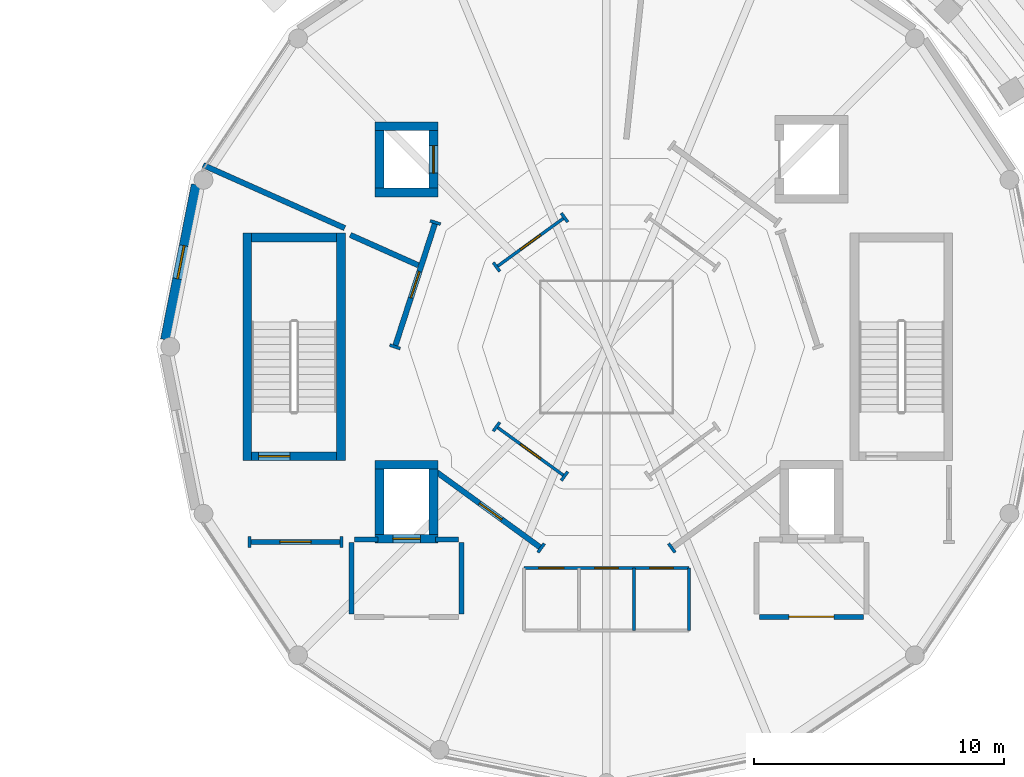
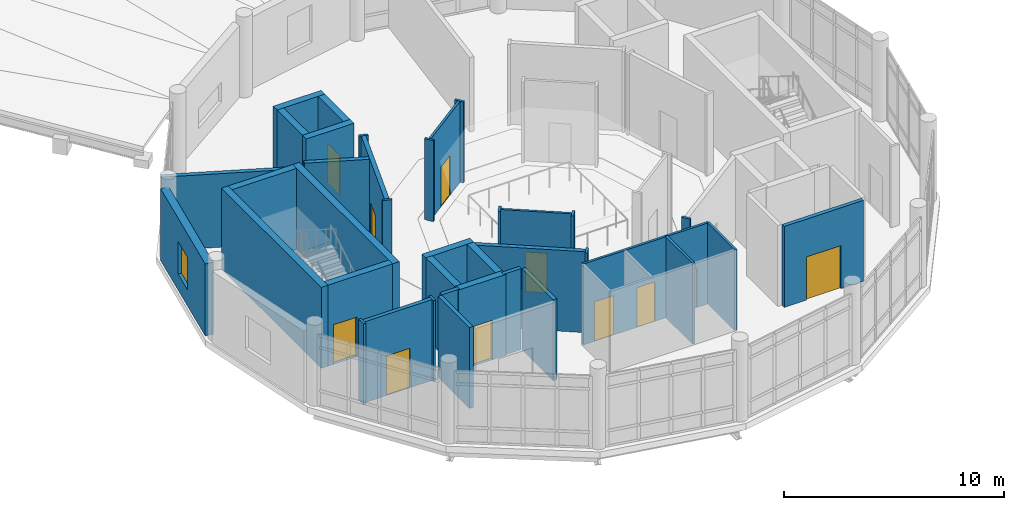
# One storey, part 21 of 27: 38 walls, 12 doors, 1 window, 13 openings.
"""IFC4 building model written with IfcOpenShell, lengths in metres."""

from ifc_helpers import new_model, si_unit, direction, frame, frame_2d, origin, place, context, subcontext, project, spatial, rectangle, extrude, material, layer, layer_set, type_object, element, fill, save


model = new_model("IFC4")

# Units and contexts
model_context = context("Model", 3, precision=1e-05, world=origin(), true_north=direction((0.0, 1.0)))
body_context = subcontext(model_context, "Body", "Model", "MODEL_VIEW")
ifc_project = project(units=[si_unit("LENGTHUNIT", "METRE"), si_unit("AREAUNIT", "SQUARE_METRE"), si_unit("VOLUMEUNIT", "CUBIC_METRE"), si_unit("PLANEANGLEUNIT", "RADIAN"), si_unit("MASSUNIT", "GRAM", prefix="KILO")], contexts=[model_context])

# Site, building, storey
site_placement = place(None, origin())
site = spatial("IfcSite", under=ifc_project, at=site_placement, CompositionType="ELEMENT")
building_placement = place(site_placement, origin())
building = spatial("IfcBuilding", under=site, at=building_placement, Name="Soyqirgoq Riverine Aquarium", CompositionType="ELEMENT")
storey_placement = place(building_placement, frame((0.0, 0.0, 19.800048828125)))
storey = spatial("IfcBuildingStorey", under=building, at=storey_placement, Name="L05", CompositionType="ELEMENT", Elevation=19.800048828125)

# Walls
ifc_material_1 = material(Name="Concrete C40/50", Category="concrete")
ifc_layer_1 = layer(ifc_material_1, 0.35009765625)
ifc_layer_set_1 = layer_set([ifc_layer_1], Name="Concrete C40/50")
wall_type_1 = type_object("IfcWallType", Name="CoreShearWall_350_C40", PredefinedType="SHEAR", material=ifc_layer_set_1)
wall_1_placement = place(storey_placement, frame((45.375, 52.449951171875, 0.0), z_axis=(0.0, 0.0, 1.0), x_axis=(0.0, 1.0, 0.0)))
element("IfcWall", 1, at=wall_1_placement, inside=storey, type_object=wall_type_1, Name="CORE-1B L05 Stair Core Shear Wall SIDE1", PredefinedType="SHEAR", context=body_context, shape_type="SweptSolid", body=[
    extrude(rectangle(XDim=9.10009765625, YDim=0.35009765625, at=frame_2d((4.550048828125, 0.0))), origin(), (0.0, 0.0, 1.0), 4.5),
])
wall_2_placement = place(storey_placement, frame((45.199951171875, 61.375, 0.0), z_axis=(0.0, 0.0, 1.0), x_axis=(-1.0, 0.0, 0.0)))
element("IfcWall", 2, at=wall_2_placement, inside=storey, type_object=wall_type_1, Name="CORE-1B L05 Stair Core Shear Wall BACK", PredefinedType="SHEAR", context=body_context, shape_type="SweptSolid", body=[
    extrude(rectangle(XDim=3.39990234375, YDim=0.35009765625, at=frame_2d((1.699951171875, 0.0))), origin(), (0.0, 0.0, 1.0), 4.5),
])
wall_3_placement = place(storey_placement, frame((41.625, 61.550048828125, 0.0), z_axis=(0.0, 0.0, 1.0), x_axis=(0.0, -1.0, 0.0)))
element("IfcWall", 3, at=wall_3_placement, inside=storey, type_object=wall_type_1, Name="CORE-1B L05 Stair Core Shear Wall SIDE2", PredefinedType="SHEAR", context=body_context, shape_type="SweptSolid", body=[
    extrude(rectangle(XDim=9.10009765625, YDim=0.35009765625, at=frame_2d((4.550048828125, 0.0))), origin(), (0.0, 0.0, 1.0), 4.5),
])

# Wall, opening, door
wall_4_placement = place(storey_placement, frame((41.800048828125, 52.625, 0.0), z_axis=(0.0, 0.0, 1.0), x_axis=(1.0, 0.0, 0.0)))
wall_4 = element("IfcWall", 4, at=wall_4_placement, inside=storey, type_object=wall_type_1, Name="CORE-1B L05 Stair Core Shear Wall FRONT", PredefinedType="SHEAR", context=body_context, shape_type="SweptSolid", body=[
    extrude(rectangle(XDim=3.39990234375, YDim=0.35009765625, at=frame_2d((1.699951171875, 0.0))), origin(), (0.0, 0.0, 1.0), 4.5),
])
opening_1_placement = place(wall_4_placement, frame((0.280029296875, 0.0, 0.0)))
opening_1 = element("IfcOpeningElement", 5, at=opening_1_placement, cuts=wall_4, Name="Opening FD-01", PredefinedType="OPENING", context=body_context, shape_type="SweptSolid", body=[
    extrude(rectangle(XDim=1.25, YDim=2.199951171875, at=frame_2d((0.625, 1.10009765625))), frame((0.0, 0.18505859375, 0.0), z_axis=(0.0, -1.0, 0.0), x_axis=(1.0, 0.0, 0.0)), (0.0, 0.0, 1.0), 0.3701171875),
])
ifc_material_2 = material(Name="Galvanised steel fire-resisting stair door", Category="steel")
door_type_1 = type_object("IfcDoorType", Name="StairFireDoor_1250x2200_EI90", OperationType="NOTDEFINED", PredefinedType="DOOR", material=ifc_material_2)
door_1_placement = place(opening_1_placement, origin())
door_1 = element("IfcDoor", 6, at=door_1_placement, inside=storey, type_object=door_type_1, Name="DR-ST-9-L05 ST-9 L05 Fire-Rated Stairwell Door", OperationType="SINGLE_SWING_RIGHT", OverallHeight=2.199951171875, OverallWidth=1.25, PredefinedType="DOOR", context=body_context, shape_type="SweptSolid", body=[
    extrude(rectangle(XDim=1.25, YDim=2.199951171875, at=frame_2d((0.625, 1.10009765625))), frame((0.0, 0.02490234375, 0.0), z_axis=(0.0, -1.0, 0.0), x_axis=(1.0, 0.0, 0.0)), (0.0, 0.0, 1.0), 0.050048828125),
])
fill(opening_1, door_1)

wall_5_placement = place(storey_placement, frame((46.7451171875, 49.320068359375, 0.0), z_axis=(0.0, 0.0, 1.0), x_axis=(1.0, 0.0, 0.0)))
wall_5 = element("IfcWall", 7, at=wall_5_placement, inside=storey, type_object=wall_type_1, Name="Lift FFL-2 Shaft Wall L05 1", PredefinedType="SHEAR", context=body_context, shape_type="SweptSolid", body=[
    extrude(rectangle(XDim=2.509765625, YDim=0.35009765625, at=frame_2d((1.2548828125, 0.0))), origin(), (0.0, 0.0, 1.0), 4.5),
])
opening_2_placement = place(wall_5_placement, frame((0.705078125, 0.0, 0.0)))
opening_2 = element("IfcOpeningElement", 8, at=opening_2_placement, cuts=wall_5, Name="Opening LD-01", PredefinedType="OPENING", context=body_context, shape_type="SweptSolid", body=[
    extrude(rectangle(XDim=1.10009765625, YDim=2.199951171875, at=frame_2d((0.550048828125, 1.10009765625))), frame((0.0, 0.18505859375, 0.0), z_axis=(0.0, -1.0, 0.0), x_axis=(1.0, 0.0, 0.0)), (0.0, 0.0, 1.0), 0.3701171875),
])
ifc_material_3 = material(Name="Brushed stainless steel telescopic lift landing door", Category="steel")
door_type_2 = type_object("IfcDoorType", Name="LiftLandingDoor_1100x2200", OperationType="SLIDING_TO_LEFT", PredefinedType="DOOR", material=ifc_material_3)
door_2_placement = place(opening_2_placement, origin())
door_2 = element("IfcDoor", 9, at=door_2_placement, inside=storey, type_object=door_type_2, Name="LD-FFL-2-L05 Lift FFL-2 L05 Sliding Landing Door", OperationType="SLIDING_TO_LEFT", OverallHeight=2.199951171875, OverallWidth=1.10009765625, PredefinedType="DOOR", context=body_context, shape_type="SweptSolid", body=[
    extrude(rectangle(XDim=1.10009765625, YDim=2.199951171875, at=frame_2d((0.550048828125, 1.10009765625))), frame((0.0, 0.02490234375, 0.0), z_axis=(0.0, -1.0, 0.0), x_axis=(1.0, 0.0, 0.0)), (0.0, 0.0, 1.0), 0.050048828125),
])
fill(opening_2, door_2)

# Walls
wall_6_placement = place(storey_placement, frame((49.080078125, 49.4951171875, 0.0), z_axis=(0.0, 0.0, 1.0), x_axis=(0.0, 1.0, 0.0)))
element("IfcWall", 10, at=wall_6_placement, inside=storey, type_object=wall_type_1, Name="Lift FFL-2 Shaft Wall L05 2", PredefinedType="SHEAR", context=body_context, shape_type="SweptSolid", body=[
    extrude(rectangle(XDim=2.60986328125, YDim=0.35009765625, at=frame_2d((1.304931640625, 0.0))), origin(), (0.0, 0.0, 1.0), 4.5),
])
wall_7_placement = place(storey_placement, frame((49.2548828125, 52.280029296875, 0.0), z_axis=(0.0, 0.0, 1.0), x_axis=(-1.0, 0.0, 0.0)))
element("IfcWall", 11, at=wall_7_placement, inside=storey, type_object=wall_type_1, Name="Lift FFL-2 Shaft Wall L05 3", PredefinedType="SHEAR", context=body_context, shape_type="SweptSolid", body=[
    extrude(rectangle(XDim=2.509765625, YDim=0.35009765625, at=frame_2d((1.2548828125, 0.0))), origin(), (0.0, 0.0, 1.0), 4.5),
])
wall_8_placement = place(storey_placement, frame((46.919921875, 52.10498046875, 0.0), z_axis=(0.0, 0.0, 1.0), x_axis=(0.0, -1.0, 0.0)))
element("IfcWall", 12, at=wall_8_placement, inside=storey, type_object=wall_type_1, Name="Lift FFL-2 Shaft Wall L05 4", PredefinedType="SHEAR", context=body_context, shape_type="SweptSolid", body=[
    extrude(rectangle(XDim=2.60986328125, YDim=0.35009765625, at=frame_2d((1.304931640625, 0.0))), origin(), (0.0, 0.0, 1.0), 4.5),
])
wall_9_placement = place(storey_placement, frame((46.7451171875, 63.169921875, 0.0), z_axis=(0.0, 0.0, 1.0), x_axis=(1.0, 0.0, 0.0)))
element("IfcWall", 13, at=wall_9_placement, inside=storey, type_object=wall_type_1, Name="Lift PL-1 Shaft Wall L05 1", PredefinedType="SHEAR", context=body_context, shape_type="SweptSolid", body=[
    extrude(rectangle(XDim=2.509765625, YDim=0.35009765625, at=frame_2d((1.2548828125, 0.0))), origin(), (0.0, 0.0, 1.0), 4.5),
])

# Wall, opening, door
wall_10_placement = place(storey_placement, frame((49.080078125, 63.344970703125, 0.0), z_axis=(0.0, 0.0, 1.0), x_axis=(0.0, 1.0, 0.0)))
wall_10 = element("IfcWall", 14, at=wall_10_placement, inside=storey, type_object=wall_type_1, Name="Lift PL-1 Shaft Wall L05 2", PredefinedType="SHEAR", context=body_context, shape_type="SweptSolid", body=[
    extrude(rectangle(XDim=2.31005859375, YDim=0.35009765625, at=frame_2d((1.155029296875, 0.0))), origin(), (0.0, 0.0, 1.0), 4.5),
])
opening_3_placement = place(wall_10_placement, frame((0.60498046875, 0.0, 0.0)))
opening_3 = element("IfcOpeningElement", 15, at=opening_3_placement, cuts=wall_10, Name="Opening LD-01", PredefinedType="OPENING", context=body_context, shape_type="SweptSolid", body=[
    extrude(rectangle(XDim=1.10009765625, YDim=2.199951171875, at=frame_2d((0.550048828125, 1.10009765625))), frame((0.0, 0.18505859375, 0.0), z_axis=(0.0, -1.0, 0.0), x_axis=(1.0, 0.0, 0.0)), (0.0, 0.0, 1.0), 0.3701171875),
])
door_3_placement = place(opening_3_placement, origin())
door_3 = element("IfcDoor", 16, at=door_3_placement, inside=storey, type_object=door_type_2, Name="LD-PL-1-L05 Lift PL-1 L05 Sliding Landing Door", OperationType="SLIDING_TO_LEFT", OverallHeight=2.199951171875, OverallWidth=1.10009765625, PredefinedType="DOOR", context=body_context, shape_type="SweptSolid", body=[
    extrude(rectangle(XDim=1.10009765625, YDim=2.199951171875, at=frame_2d((0.550048828125, 1.10009765625))), frame((0.0, 0.02490234375, 0.0), z_axis=(0.0, -1.0, 0.0), x_axis=(1.0, 0.0, 0.0)), (0.0, 0.0, 1.0), 0.050048828125),
])
fill(opening_3, door_3)

# Walls
wall_11_placement = place(storey_placement, frame((49.2548828125, 65.830078125, 0.0), z_axis=(0.0, 0.0, 1.0), x_axis=(-1.0, 0.0, 0.0)))
element("IfcWall", 17, at=wall_11_placement, inside=storey, type_object=wall_type_1, Name="Lift PL-1 Shaft Wall L05 3", PredefinedType="SHEAR", context=body_context, shape_type="SweptSolid", body=[
    extrude(rectangle(XDim=2.509765625, YDim=0.35009765625, at=frame_2d((1.2548828125, 0.0))), origin(), (0.0, 0.0, 1.0), 4.5),
])
wall_12_placement = place(storey_placement, frame((46.919921875, 65.655029296875, 0.0), z_axis=(0.0, 0.0, 1.0), x_axis=(0.0, -1.0, 0.0)))
element("IfcWall", 18, at=wall_12_placement, inside=storey, type_object=wall_type_1, Name="Lift PL-1 Shaft Wall L05 4", PredefinedType="SHEAR", context=body_context, shape_type="SweptSolid", body=[
    extrude(rectangle(XDim=2.31005859375, YDim=0.35009765625, at=frame_2d((1.155029296875, 0.0))), origin(), (0.0, 0.0, 1.0), 4.5),
])

# Wall, opening, door
ifc_material_4 = material(Name="Lightweight steel-stud gypsum partition", Category="steel")
ifc_layer_2 = layer(ifc_material_4, 0.1201171875)
ifc_layer_set_2 = layer_set([ifc_layer_2], Name="Lightweight steel-stud gypsum partition")
wall_type_2 = type_object("IfcWallType", Name="PartitionWall_120_Std", PredefinedType="PARTITIONING", material=ifc_layer_set_2)
wall_13_placement = place(storey_placement, frame((54.31982421875, 62.1708984375, 0.0), z_axis=(0.0, 0.0, 1.0), x_axis=(-0.809018758112, -0.587782824709, 0.0)))
wall_13 = element("IfcWall", 19, at=wall_13_placement, inside=storey, type_object=wall_type_2, Name="Ocean Tank Overhead Servicing Hall Partition Wall", PredefinedType="PARTITIONING", context=body_context, shape_type="SweptSolid", body=[
    extrude(rectangle(XDim=3.3603515625, YDim=0.1201171875, at=frame_2d((1.68017578125, 0.0))), origin(), (0.0, 0.0, 1.0), 4.5),
])
opening_4_placement = place(wall_13_placement, frame((1.18017578125, 0.0, 0.0)))
opening_4 = element("IfcOpeningElement", 20, at=opening_4_placement, cuts=wall_13, Name="Opening ID-03", PredefinedType="OPENING", context=body_context, shape_type="SweptSolid", body=[
    extrude(rectangle(XDim=1.0, YDim=2.199951171875, at=frame_2d((0.5, 1.10009765625))), frame((0.0, 0.070068359375, 0.0), z_axis=(0.0, -1.0, 0.0), x_axis=(1.0, 0.0, 0.0)), (0.0, 0.0, 1.0), 0.14013671875),
])
ifc_material_5 = material(Name="Solid-core ash veneer room door", Category="wood")
door_type_3 = type_object("IfcDoorType", Name="RoomDoor_1000x2200", OperationType="NOTDEFINED", PredefinedType="DOOR", material=ifc_material_5)
door_4_placement = place(opening_4_placement, origin())
door_4 = element("IfcDoor", 21, at=door_4_placement, inside=storey, type_object=door_type_3, Name="IDR-V1-L05-0059 Ocean Tank Overhead Servicing Hall Door", OperationType="SINGLE_SWING_LEFT", OverallHeight=2.199951171875, OverallWidth=1.0, PredefinedType="DOOR", context=body_context, shape_type="SweptSolid", body=[
    extrude(rectangle(XDim=1.0, YDim=2.199951171875, at=frame_2d((0.5, 1.10009765625))), frame((0.0, 0.02490234375, 0.0), z_axis=(0.0, -1.0, 0.0), x_axis=(1.0, 0.0, 0.0)), (0.0, 0.0, 1.0), 0.050048828125),
])
fill(opening_4, door_4)

wall_14_placement = place(storey_placement, frame((51.601318359375, 53.80419921875, 0.0), z_axis=(0.0, 0.0, 1.0), x_axis=(0.809018758112, -0.587782824709, 0.0)))
wall_14 = element("IfcWall", 22, at=wall_14_placement, inside=storey, type_object=wall_type_2, Name="Ocean Tank Overhead Servicing Hall Partition Wall", PredefinedType="PARTITIONING", context=body_context, shape_type="SweptSolid", body=[
    extrude(rectangle(XDim=3.3603515625, YDim=0.1201171875, at=frame_2d((1.68017578125, 0.0))), origin(), (0.0, 0.0, 1.0), 4.5),
])
opening_5_placement = place(wall_14_placement, frame((1.18017578125, 0.0, 0.0)))
opening_5 = element("IfcOpeningElement", 23, at=opening_5_placement, cuts=wall_14, Name="Opening ID-03", PredefinedType="OPENING", context=body_context, shape_type="SweptSolid", body=[
    extrude(rectangle(XDim=1.0, YDim=2.199951171875, at=frame_2d((0.5, 1.10009765625))), frame((0.0, 0.070068359375, 0.0), z_axis=(0.0, -1.0, 0.0), x_axis=(1.0, 0.0, 0.0)), (0.0, 0.0, 1.0), 0.14013671875),
])
door_5_placement = place(opening_5_placement, origin())
door_5 = element("IfcDoor", 24, at=door_5_placement, inside=storey, type_object=door_type_3, Name="IDR-V1-L05-0060 Ocean Tank Overhead Servicing Hall Door", OperationType="SINGLE_SWING_RIGHT", OverallHeight=2.199951171875, OverallWidth=1.0, PredefinedType="DOOR", context=body_context, shape_type="SweptSolid", body=[
    extrude(rectangle(XDim=1.0, YDim=2.199951171875, at=frame_2d((0.5, 1.10009765625))), frame((0.0, 0.02490234375, 0.0), z_axis=(0.0, -1.0, 0.0), x_axis=(1.0, 0.0, 0.0)), (0.0, 0.0, 1.0), 0.050048828125),
])
fill(opening_5, door_5)

# Walls
for number, where, z_axis, x_axis, name in (
    (25, (41.723388671875, 48.97998046875, 0.0), (0.0, 0.0, 1.0), (0.0, 1.0, 0.0), "V1 L05 Jamb Return Pier"),
    (26, (45.39990234375, 48.97998046875, 0.0), (0.0, 0.0, 1.0), (0.0, 1.0, 0.0), "V1 L05 Jamb Return Pier"),
    (27, (54.190673828125, 62.348876953125, 0.0), (0.0, 0.0, 1.0), (0.587676645097, -0.809095890984, 0.0), "V1 L05 Jamb Return Pier"),
):
    element("IfcWall", number, at=place(storey_placement, frame(where, z_axis=z_axis, x_axis=x_axis)), inside=storey, type_object=wall_type_2, Name=name, PredefinedType="PARTITIONING", context=body_context, shape_type="SweptSolid", body=[
        extrude(rectangle(XDim=0.43994140625, YDim=0.1201171875, at=frame_2d((0.219970703125, 0.0))), origin(), (0.0, 0.0, 1.0), 4.5),
    ])
for number, where, z_axis, x_axis, name in (
    (28, (51.47216796875, 60.373779296875, 0.0), (0.0, 0.0, 1.0), (0.587412867849, -0.809287416611, 0.0), "V1 L05 Jamb Return Pier"),
    (29, (51.47216796875, 53.626220703125, 0.0), (0.0, 0.0, 1.0), (0.587412867849, 0.809287416611, 0.0), "V1 L05 Jamb Return Pier"),
):
    element("IfcWall", number, at=place(storey_placement, frame(where, z_axis=z_axis, x_axis=x_axis)), inside=storey, type_object=wall_type_2, Name=name, PredefinedType="PARTITIONING", context=body_context, shape_type="SweptSolid", body=[
        extrude(rectangle(XDim=0.440185546875, YDim=0.1201171875, at=frame_2d((0.22021484375, 0.0))), origin(), (0.0, 0.0, 1.0), 4.5),
    ])
wall_15_placement = place(storey_placement, frame((54.190673828125, 51.651123046875, 0.0), z_axis=(0.0, 0.0, 1.0), x_axis=(0.587676645097, 0.809095890984, 0.0)))
element("IfcWall", 30, at=wall_15_placement, inside=storey, type_object=wall_type_2, Name="V1 L05 Jamb Return Pier", PredefinedType="PARTITIONING", context=body_context, shape_type="SweptSolid", body=[
    extrude(rectangle(XDim=0.43994140625, YDim=0.1201171875, at=frame_2d((0.219970703125, 0.0))), origin(), (0.0, 0.0, 1.0), 4.5),
])
wall_16_placement = place(storey_placement, frame((47.74609375, 56.931884765625, 0.0), z_axis=(0.0, 0.0, 1.0), x_axis=(-0.950879027099, 0.309562717107, 0.0)))
element("IfcWall", 31, at=wall_16_placement, inside=storey, type_object=wall_type_2, Name="V1 L05 Jamb Return Pier", PredefinedType="PARTITIONING", context=body_context, shape_type="SweptSolid", body=[
    extrude(rectangle(XDim=0.440185546875, YDim=0.1201171875, at=frame_2d((0.22021484375, 0.0))), origin(), (0.0, 0.0, 1.0), 4.5),
])
for number, where, z_axis, x_axis, name in (
    (32, (49.362548828125, 61.906494140625, 0.0), (0.0, 0.0, 1.0), (-0.951042223598, 0.309060979314, 0.0), "V1 L05 Jamb Return Pier"),
    (33, (58.48583984375, 49.129150390625, 0.0), (0.0, 0.0, 1.0), (0.587676645097, -0.809095890984, 0.0), "V1 L05 Jamb Return Pier"),
    (34, (53.51416015625, 49.129150390625, 0.0), (0.0, 0.0, 1.0), (-0.587676645097, -0.809095890984, 0.0), "V1 L05 Jamb Return Pier"),
):
    element("IfcWall", number, at=place(storey_placement, frame(where, z_axis=z_axis, x_axis=x_axis)), inside=storey, type_object=wall_type_2, Name=name, PredefinedType="PARTITIONING", context=body_context, shape_type="SweptSolid", body=[
        extrude(rectangle(XDim=0.43994140625, YDim=0.1201171875, at=frame_2d((0.219970703125, 0.0))), origin(), (0.0, 0.0, 1.0), 4.5),
    ])

# Wall, openings, doors
ifc_material_6 = material(Name="Moisture-resistant cement-board wet-room partition", Category="gypsum")
ifc_layer_3 = layer(ifc_material_6, 0.125)
ifc_layer_set_3 = layer_set([ifc_layer_3], Name="Moisture-resistant cement-board wet-room partition")
wall_type_3 = type_object("IfcWallType", Name="PartitionWall_125_Wet", PredefinedType="PARTITIONING", material=ifc_layer_set_3)
wall_17_placement = place(storey_placement, frame((52.699951171875, 48.14990234375, 0.0), z_axis=(0.0, 0.0, 1.0), x_axis=(1.0, 0.0, 0.0)))
wall_17 = element("IfcWall", 35, at=wall_17_placement, inside=storey, type_object=wall_type_3, Name="V1 L05 WC Suite Front Wall", PredefinedType="PARTITIONING", context=body_context, shape_type="SweptSolid", body=[
    extrude(rectangle(XDim=6.60009765625, YDim=0.125, at=frame_2d((3.300048828125, 0.0))), origin(), (0.0, 0.0, 1.0), 4.5),
])
opening_6_placement = place(wall_17_placement, frame((0.60009765625, 0.0, 0.0)))
opening_6 = element("IfcOpeningElement", 36, at=opening_6_placement, cuts=wall_17, Name="Opening ID-05", PredefinedType="OPENING", context=body_context, shape_type="SweptSolid", body=[
    extrude(rectangle(XDim=1.0, YDim=2.199951171875, at=frame_2d((0.5, 1.10009765625))), frame((0.0, 0.072509765625, 0.0), z_axis=(0.0, -1.0, 0.0), x_axis=(1.0, 0.0, 0.0)), (0.0, 0.0, 1.0), 0.14501953125),
])
opening_7_placement = place(wall_17_placement, frame((2.824951171875, 0.0, 0.0)))
opening_7 = element("IfcOpeningElement", 37, at=opening_7_placement, cuts=wall_17, Name="Opening ID-06", PredefinedType="OPENING", context=body_context, shape_type="SweptSolid", body=[
    extrude(rectangle(XDim=0.949951171875, YDim=2.199951171875, at=frame_2d((0.47509765625, 1.10009765625))), frame((0.0, 0.072509765625, 0.0), z_axis=(0.0, -1.0, 0.0), x_axis=(1.0, 0.0, 0.0)), (0.0, 0.0, 1.0), 0.14501953125),
])
opening_8_placement = place(wall_17_placement, frame((5.02490234375, 0.0, 0.0)))
opening_8 = element("IfcOpeningElement", 38, at=opening_8_placement, cuts=wall_17, Name="Opening ID-06", PredefinedType="OPENING", context=body_context, shape_type="SweptSolid", body=[
    extrude(rectangle(XDim=0.949951171875, YDim=2.199951171875, at=frame_2d((0.47509765625, 1.10009765625))), frame((0.0, 0.072509765625, 0.0), z_axis=(0.0, -1.0, 0.0), x_axis=(1.0, 0.0, 0.0)), (0.0, 0.0, 1.0), 0.14501953125),
])
ifc_material_7 = material(Name="Moisture-resistant HPL accessible washroom door", Category="wood")
door_type_4 = type_object("IfcDoorType", Name="AccessibleWCDoor_1000x2200", OperationType="NOTDEFINED", PredefinedType="DOOR", material=ifc_material_7)
door_6_placement = place(opening_6_placement, origin())
door_6 = element("IfcDoor", 39, at=door_6_placement, inside=storey, type_object=door_type_4, Name="IDR-V1-L05-0053 Accessible WC Door", OperationType="SINGLE_SWING_LEFT", OverallHeight=2.199951171875, OverallWidth=1.0, PredefinedType="DOOR", context=body_context, shape_type="SweptSolid", body=[
    extrude(rectangle(XDim=1.0, YDim=2.199951171875, at=frame_2d((0.5, 1.10009765625))), frame((0.0, 0.02490234375, 0.0), z_axis=(0.0, -1.0, 0.0), x_axis=(1.0, 0.0, 0.0)), (0.0, 0.0, 1.0), 0.050048828125),
])
fill(opening_6, door_6)
ifc_material_8 = material(Name="Moisture-resistant HPL washroom door", Category="wood")
door_type_5 = type_object("IfcDoorType", Name="WCDoor_950x2200", OperationType="NOTDEFINED", PredefinedType="DOOR", material=ifc_material_8)
door_7_placement = place(opening_7_placement, origin())
door_7 = element("IfcDoor", 40, at=door_7_placement, inside=storey, type_object=door_type_5, Name="IDR-V1-L05-0054 Public Female WC Door", OperationType="SINGLE_SWING_RIGHT", OverallHeight=2.199951171875, OverallWidth=0.949951171875, PredefinedType="DOOR", context=body_context, shape_type="SweptSolid", body=[
    extrude(rectangle(XDim=0.949951171875, YDim=2.199951171875, at=frame_2d((0.47509765625, 1.10009765625))), frame((0.0, 0.02490234375, 0.0), z_axis=(0.0, -1.0, 0.0), x_axis=(1.0, 0.0, 0.0)), (0.0, 0.0, 1.0), 0.050048828125),
])
fill(opening_7, door_7)
door_8_placement = place(opening_8_placement, origin())
door_8 = element("IfcDoor", 41, at=door_8_placement, inside=storey, type_object=door_type_5, Name="IDR-V1-L05-0055 Public Male WC Door", OperationType="SINGLE_SWING_LEFT", OverallHeight=2.199951171875, OverallWidth=0.949951171875, PredefinedType="DOOR", context=body_context, shape_type="SweptSolid", body=[
    extrude(rectangle(XDim=0.949951171875, YDim=2.199951171875, at=frame_2d((0.47509765625, 1.10009765625))), frame((0.0, 0.02490234375, 0.0), z_axis=(0.0, -1.0, 0.0), x_axis=(1.0, 0.0, 0.0)), (0.0, 0.0, 1.0), 0.050048828125),
])
fill(opening_8, door_8)

# Walls
for number, where, z_axis, x_axis, name in (
    (42, (59.300048828125, 45.64990234375, 0.0), (0.0, 0.0, 1.0), (0.0, 1.0, 0.0), "V1 L05 WC Suite East Wall"),
    (43, (57.10009765625, 45.64990234375, 0.0), (0.0, 0.0, 1.0), (0.0, 1.0, 0.0), "V1 L05 WC Cubicle Divider 2"),
):
    element("IfcWall", number, at=place(storey_placement, frame(where, z_axis=z_axis, x_axis=x_axis)), inside=storey, type_object=wall_type_3, Name=name, PredefinedType="PARTITIONING", context=body_context, shape_type="SweptSolid", body=[
        extrude(rectangle(XDim=2.5, YDim=0.125, at=frame_2d((1.25, 0.0))), origin(), (0.0, 0.0, 1.0), 4.5),
    ])

# Wall, opening, door
ifc_material_9 = material(Name="Fire-rated calcium silicate twin-stud partition", Category="gypsum")
ifc_layer_4 = layer(ifc_material_9, 0.199951171875)
ifc_layer_set_4 = layer_set([ifc_layer_4], Name="Fire-rated calcium silicate twin-stud partition")
wall_type_4 = type_object("IfcWallType", Name="PartitionWall_200_EI90", PredefinedType="PARTITIONING", material=ifc_layer_set_4)
wall_18_placement = place(storey_placement, frame((62.1201171875, 46.199951171875, 0.0), z_axis=(0.0, 0.0, 1.0), x_axis=(1.0, 0.0, 0.0)))
wall_18 = element("IfcWall", 44, at=wall_18_placement, inside=storey, type_object=wall_type_4, Name="CORE-1 L05 Firefighting Lobby South Enclosure Wall", PredefinedType="PARTITIONING", context=body_context, shape_type="SweptSolid", body=[
    extrude(rectangle(XDim=4.159912109375, YDim=0.199951171875, at=frame_2d((2.080078125, 0.0))), origin(), (0.0, 0.0, 1.0), 4.5),
])
opening_9_placement = place(wall_18_placement, frame((1.179931640625, 0.0, 0.0)))
opening_9 = element("IfcOpeningElement", 45, at=opening_9_placement, cuts=wall_18, Name="Opening FD-02", PredefinedType="OPENING", context=body_context, shape_type="SweptSolid", body=[
    extrude(rectangle(XDim=1.800048828125, YDim=2.39990234375, at=frame_2d((0.89990234375, 1.199951171875))), frame((0.0, 0.10986328125, 0.0), z_axis=(0.0, -1.0, 0.0), x_axis=(1.0, 0.0, 0.0)), (0.0, 0.0, 1.0), 0.219970703125),
])
ifc_material_10 = material(Name="Glazed steel fire-resisting corridor double door", Category="steel")
door_type_6 = type_object("IfcDoorType", Name="LobbyFireDoor_1800x2400_EI60", OperationType="DOUBLE_DOOR_SINGLE_SWING", PredefinedType="DOOR", material=ifc_material_10)
door_9_placement = place(opening_9_placement, origin())
door_9 = element("IfcDoor", 46, at=door_9_placement, inside=storey, type_object=door_type_6, Name="DR-FFL-CORE-1-L05 CORE-1 L05 Firefighting Lobby Fire Door", OperationType="DOUBLE_DOOR_SINGLE_SWING", OverallHeight=2.39990234375, OverallWidth=1.800048828125, PredefinedType="DOOR", context=body_context, shape_type="SweptSolid", body=[
    extrude(rectangle(XDim=1.800048828125, YDim=2.39990234375, at=frame_2d((0.89990234375, 1.199951171875))), frame((0.0, 0.02490234375, 0.0), z_axis=(0.0, -1.0, 0.0), x_axis=(1.0, 0.0, 0.0)), (0.0, 0.0, 1.0), 0.050048828125),
])
fill(opening_9, door_9)

# Walls
for number, where, z_axis, x_axis, name in (
    (47, (45.800048828125, 46.320068359375, 0.0), (0.0, 0.0, 1.0), (0.0, 1.0, 0.0), "CORE-1B L05 Firefighting Lobby W Wall"),
    (48, (50.199951171875, 46.320068359375, 0.0), (0.0, 0.0, 1.0), (0.0, 1.0, 0.0), "CORE-1B L05 Firefighting Lobby E Wall"),
):
    element("IfcWall", number, at=place(storey_placement, frame(where, z_axis=z_axis, x_axis=x_axis)), inside=storey, type_object=wall_type_4, Name=name, PredefinedType="PARTITIONING", context=body_context, shape_type="SweptSolid", body=[
        extrude(rectangle(XDim=2.85986328125, YDim=0.199951171875, at=frame_2d((1.429931640625, 0.0))), origin(), (0.0, 0.0, 1.0), 4.5),
    ])
for number, where, z_axis, x_axis, name in (
    (49, (45.919921875, 49.300048828125, 0.0), (0.0, 0.0, 1.0), (1.0, 0.0, 0.0), "CORE-1B L05 Firefighting Lobby NL Wall"),
    (50, (49.14990234375, 49.300048828125, 0.0), (0.0, 0.0, 1.0), (1.0, 0.0, 0.0), "CORE-1B L05 Firefighting Lobby NR Wall"),
):
    element("IfcWall", number, at=place(storey_placement, frame(where, z_axis=z_axis, x_axis=x_axis)), inside=storey, type_object=wall_type_4, Name=name, PredefinedType="PARTITIONING", context=body_context, shape_type="SweptSolid", body=[
        extrude(rectangle(XDim=0.93017578125, YDim=0.199951171875, at=frame_2d((0.465087890625, 0.0))), origin(), (0.0, 0.0, 1.0), 4.5),
    ])

# Wall, opening, door
wall_19_placement = place(storey_placement, frame((41.723388671875, 49.199951171875, 0.0), z_axis=(0.0, 0.0, 1.0), x_axis=(1.0, 0.0, 0.0)))
wall_19 = element("IfcWall", 51, at=wall_19_placement, inside=storey, type_object=wall_type_4, Name="Stair Vestibule ST-9 Fire Enclosure Wall", PredefinedType="PARTITIONING", context=body_context, shape_type="SweptSolid", body=[
    extrude(rectangle(XDim=3.676513671875, YDim=0.199951171875, at=frame_2d((1.83837890625, 0.0))), origin(), (0.0, 0.0, 1.0), 4.5),
])
opening_10_placement = place(wall_19_placement, frame((1.21337890625, 0.0, 0.0)))
opening_10 = element("IfcOpeningElement", 52, at=opening_10_placement, cuts=wall_19, Name="Opening FD-01", PredefinedType="OPENING", context=body_context, shape_type="SweptSolid", body=[
    extrude(rectangle(XDim=1.25, YDim=2.199951171875, at=frame_2d((0.625, 1.10009765625))), frame((0.0, 0.10986328125, 0.0), z_axis=(0.0, -1.0, 0.0), x_axis=(1.0, 0.0, 0.0)), (0.0, 0.0, 1.0), 0.219970703125),
])
door_10_placement = place(opening_10_placement, origin())
door_10 = element("IfcDoor", 53, at=door_10_placement, inside=storey, type_object=door_type_1, Name="IDR-V1-L05-0057 Stair Vestibule ST-9 Egress Fire Door", OperationType="SINGLE_SWING_LEFT", OverallHeight=2.199951171875, OverallWidth=1.25, PredefinedType="DOOR", context=body_context, shape_type="SweptSolid", body=[
    extrude(rectangle(XDim=1.25, YDim=2.199951171875, at=frame_2d((0.625, 1.10009765625))), frame((0.0, 0.02490234375, 0.0), z_axis=(0.0, -1.0, 0.0), x_axis=(1.0, 0.0, 0.0)), (0.0, 0.0, 1.0), 0.050048828125),
])
fill(opening_10, door_10)

ifc_material_11 = material(Name="Fire-rated masonry shaft wall", Category="masonry")
ifc_layer_5 = layer(ifc_material_11, 0.219970703125)
ifc_layer_set_5 = layer_set([ifc_layer_5], Name="Fire-rated masonry shaft wall")
wall_type_5 = type_object("IfcWallType", Name="RiserShaftWall_220_EI120", PredefinedType="SOLIDWALL", material=ifc_layer_set_5)
wall_20_placement = place(storey_placement, frame((47.536865234375, 57.0, 0.0), z_axis=(0.0, 0.0, 1.0), x_axis=(0.309035412731, 0.951050531611, 0.0)))
wall_20 = element("IfcWall", 54, at=wall_20_placement, inside=storey, type_object=wall_type_5, Name="Quarantine Acclimation Laboratory Partition Wall", PredefinedType="SOLIDWALL", context=body_context, shape_type="SweptSolid", body=[
    extrude(rectangle(XDim=5.230712890625, YDim=0.219970703125, at=frame_2d((2.615234375, 0.0))), origin(), (0.0, 0.0, 1.0), 4.5),
])
opening_11_placement = place(wall_20_placement, frame((2.065185546875, 0.0, 0.0)))
opening_11 = element("IfcOpeningElement", 55, at=opening_11_placement, cuts=wall_20, Name="Opening ID-04", PredefinedType="OPENING", context=body_context, shape_type="SweptSolid", body=[
    extrude(rectangle(XDim=1.10009765625, YDim=2.199951171875, at=frame_2d((0.550048828125, 1.10009765625))), frame((0.0, 0.1201171875, 0.0), z_axis=(0.0, -1.0, 0.0), x_axis=(1.0, 0.0, 0.0)), (0.0, 0.0, 1.0), 0.239990234375),
])
ifc_material_12 = material(Name="Chemical-resistant HPL fire-rated laboratory door", Category="wood")
door_type_7 = type_object("IfcDoorType", Name="LabDoor_1100x2200_EI60", OperationType="NOTDEFINED", PredefinedType="DOOR", material=ifc_material_12)
door_11_placement = place(opening_11_placement, origin())
door_11 = element("IfcDoor", 56, at=door_11_placement, inside=storey, type_object=door_type_7, Name="IDR-V1-L05-0062 Ocean Drum Circulation Corridor Door", OperationType="SINGLE_SWING_RIGHT", OverallHeight=2.199951171875, OverallWidth=1.10009765625, PredefinedType="DOOR", context=body_context, shape_type="SweptSolid", body=[
    extrude(rectangle(XDim=1.10009765625, YDim=2.199951171875, at=frame_2d((0.550048828125, 1.10009765625))), frame((0.0, 0.02490234375, 0.0), z_axis=(0.0, -1.0, 0.0), x_axis=(1.0, 0.0, 0.0)), (0.0, 0.0, 1.0), 0.050048828125),
])
fill(opening_11, door_11)

wall_21_placement = place(storey_placement, frame((53.384765625, 48.951171875, 0.0), z_axis=(0.0, 0.0, 1.0), x_axis=(-0.809016112011, 0.58778646676, 0.0)))
wall_21 = element("IfcWall", 57, at=wall_21_placement, inside=storey, type_object=wall_type_5, Name="Quarantine Acclimation Laboratory Partition Wall", PredefinedType="SOLIDWALL", context=body_context, shape_type="SweptSolid", body=[
    extrude(rectangle(XDim=5.201171875, YDim=0.219970703125, at=frame_2d((2.6005859375, 0.0))), origin(), (0.0, 0.0, 1.0), 4.5),
])
opening_12_placement = place(wall_21_placement, frame((1.943603515625, 0.0, 0.0)))
opening_12 = element("IfcOpeningElement", 58, at=opening_12_placement, cuts=wall_21, Name="Opening ID-04", PredefinedType="OPENING", context=body_context, shape_type="SweptSolid", body=[
    extrude(rectangle(XDim=1.10009765625, YDim=2.199951171875, at=frame_2d((0.550048828125, 1.10009765625))), frame((0.0, 0.1201171875, 0.0), z_axis=(0.0, -1.0, 0.0), x_axis=(1.0, 0.0, 0.0)), (0.0, 0.0, 1.0), 0.239990234375),
])
door_12_placement = place(opening_12_placement, origin())
door_12 = element("IfcDoor", 59, at=door_12_placement, inside=storey, type_object=door_type_7, Name="IDR-V1-L05-0065 Ocean Drum Circulation Corridor Door", OperationType="SINGLE_SWING_LEFT", OverallHeight=2.199951171875, OverallWidth=1.10009765625, PredefinedType="DOOR", context=body_context, shape_type="SweptSolid", body=[
    extrude(rectangle(XDim=1.10009765625, YDim=2.199951171875, at=frame_2d((0.550048828125, 1.10009765625))), frame((0.0, 0.02490234375, 0.0), z_axis=(0.0, -1.0, 0.0), x_axis=(1.0, 0.0, 0.0)), (0.0, 0.0, 1.0), 0.050048828125),
])
fill(opening_12, door_12)

# Walls
wall_22_placement = place(storey_placement, frame((39.8662109375, 64.270751953125, 0.0), z_axis=(0.0, 0.0, 1.0), x_axis=(0.913549825912, -0.406726831639, 0.0)))
element("IfcWall", 60, at=wall_22_placement, inside=storey, type_object=wall_type_5, Name="Quarantine Acclimation Laboratory Partition Wall", PredefinedType="SOLIDWALL", context=body_context, shape_type="SweptSolid", body=[
    extrude(rectangle(XDim=6.19775390625, YDim=0.219970703125, at=frame_2d((3.098876953125, 0.0))), origin(), (0.0, 0.0, 1.0), 4.08984375),
])
wall_23_placement = place(storey_placement, frame((48.47216796875, 60.26416015625, 0.0), z_axis=(0.0, 0.0, 1.0), x_axis=(-0.913554585807, 0.406716140264, 0.0)))
element("IfcWall", 61, at=wall_23_placement, inside=storey, type_object=wall_type_5, Name="Quarantine Acclimation Laboratory Partition Wall", PredefinedType="SOLIDWALL", context=body_context, shape_type="SweptSolid", body=[
    extrude(rectangle(XDim=2.979736328125, YDim=0.219970703125, at=frame_2d((1.48974609375, 0.0))), origin(), (0.0, 0.0, 1.0), 4.5),
])

# Wall, opening, window
ifc_material_13 = material(Name="Honed travertine limestone cavity wall", Category="masonry")
ifc_layer_6 = layer(ifc_material_13, 0.39990234375)
ifc_layer_set_6 = layer_set([ifc_layer_6], Name="Honed travertine limestone cavity wall")
wall_type_6 = type_object("IfcWallType", Name="TravertineSpandrelWall_400", PredefinedType="SOLIDWALL", material=ifc_layer_set_6)
wall_24_placement = place(storey_placement, frame((38.356689453125, 57.28564453125, 0.0), z_axis=(0.0, 0.0, 1.0), x_axis=(0.195121154489, 0.980779146939, 0.0)))
wall_24 = element("IfcWall", 62, at=wall_24_placement, inside=storey, type_object=wall_type_6, Name="V1 L05 Exterior Travertine Wall 0032", PredefinedType="SOLIDWALL", context=body_context, shape_type="SweptSolid", body=[
    extrude(rectangle(XDim=6.32373046875, YDim=0.39990234375, at=frame_2d((3.161865234375, 0.0))), origin(), (0.0, 0.0, 1.0), 4.0),
])
opening_13_placement = place(wall_24_placement, frame((2.48681640625, 0.0, 0.89990234375)))
opening_13 = element("IfcOpeningElement", 63, at=opening_13_placement, cuts=wall_24, Name="Opening WN-08", PredefinedType="OPENING", context=body_context, shape_type="SweptSolid", body=[
    extrude(rectangle(XDim=1.35009765625, YDim=1.800048828125, at=frame_2d((0.675048828125, 0.89990234375))), frame((0.0, 0.2099609375, 0.0), z_axis=(0.0, -1.0, 0.0), x_axis=(1.0, 0.0, 0.0)), (0.0, 0.0, 1.0), 0.419921875),
])
ifc_material_14 = material(Name="Thermally broken aluminium triple low-E window", Category="aluminium")
window_type = type_object("IfcWindowType", Name="Win_Office_1350x1800", PartitioningType="DOUBLE_PANEL_VERTICAL", PredefinedType="WINDOW", material=ifc_material_14)
window_placement = place(opening_13_placement, origin())
window = element("IfcWindow", 64, at=window_placement, inside=storey, type_object=window_type, Name="V1 L05 Facade Window 0018", OverallHeight=1.800048828125, OverallWidth=1.35009765625, PartitioningType="DOUBLE_PANEL_VERTICAL", PredefinedType="WINDOW", context=body_context, shape_type="SweptSolid", body=[
    extrude(rectangle(XDim=1.35009765625, YDim=1.800048828125, at=frame_2d((0.675048828125, 0.89990234375))), frame((0.0, 0.030029296875, 0.0), z_axis=(0.0, -1.0, 0.0), x_axis=(1.0, 0.0, 0.0)), (0.0, 0.0, 1.0), 0.06005859375),
])
fill(opening_13, window)

save(model, "model.ifc")
